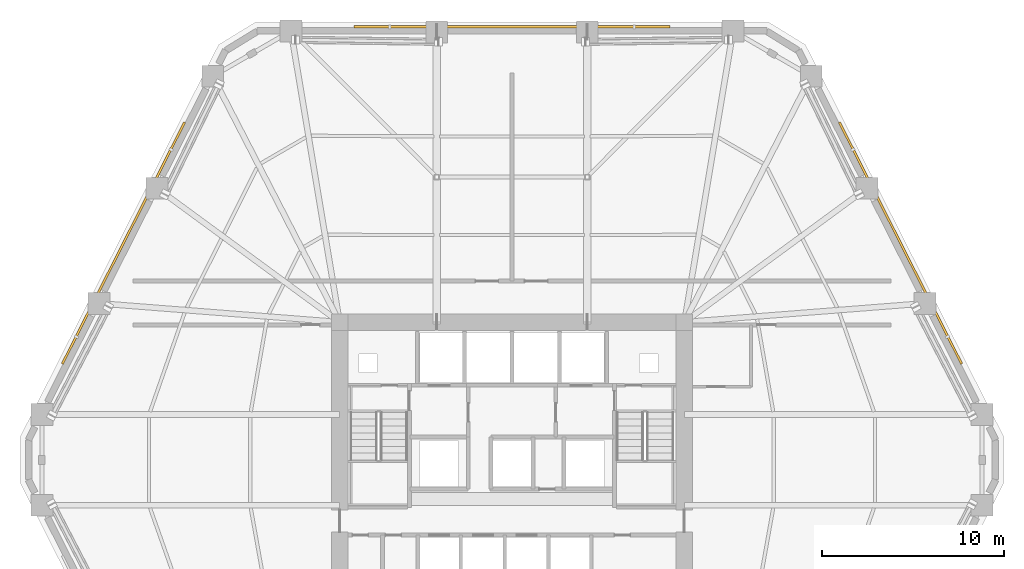
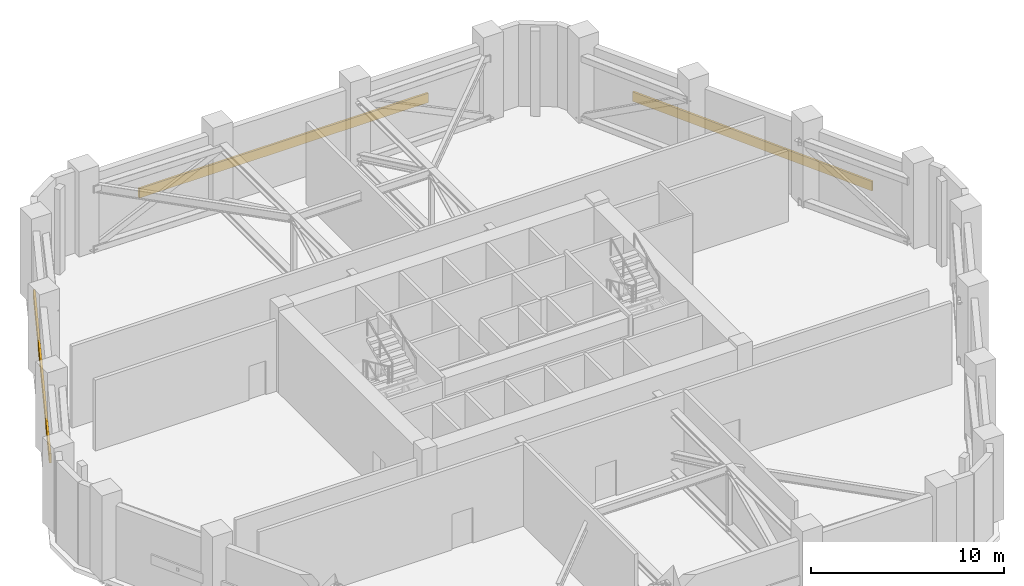
# One storey, part 19 of 19: 3 shading devices.
"""IFC4 building model written with IfcOpenShell, lengths in metres."""

import ifcopenshell
import ifcopenshell.guid

model = None  # the IFC model being written
_history = None  # IfcOwnerHistory: only IFC2X3 demands one
_inside = {}  # id of a spatial element -> (the spatial element, [elements in it])
_under = {}  # id of a project, library or spatial element -> (it, [spatial elements below it])
_declared = {}  # id of a project -> (the project, [libraries it declares])
_typed = {}  # id of a type object -> (the type object, [elements of that type])
_made_of = {}  # id of a material, layer set ... -> (it, [elements and type objects made of it])


def new_model(schema):
    """Start an empty IFC model of exactly this schema.

    Asked for "IFC4X3", IfcOpenShell would pick the latest addendum, in which some entities
    have other attributes; the version numbers below select the first issue.
    IFC2X3 requires an IfcOwnerHistory on every rooted entity: one is made here for all.
    """
    global model, _history
    if schema == "IFC4X3":
        model = ifcopenshell.file(schema_version=(4, 3, 0, 0))
    else:
        model = ifcopenshell.file(schema=schema)
    _inside.clear()
    _under.clear()
    _declared.clear()
    _typed.clear()
    _made_of.clear()
    _history = None
    if model.schema == "IFC2X3":
        org = make("IfcOrganization", Name="unknown")
        user = make(
            "IfcPersonAndOrganization",
            ThePerson=make("IfcPerson", FamilyName="unknown"),
            TheOrganization=org,
        )
        app = make(
            "IfcApplication",
            ApplicationDeveloper=org,
            Version="unknown",
            ApplicationFullName="unknown",
            ApplicationIdentifier="unknown",
        )
        _history = make(
            "IfcOwnerHistory",
            OwningUser=user,
            OwningApplication=app,
            ChangeAction="ADDED",
            CreationDate=0,
        )
    return model


def make(cls, **values):
    """One entity of the class cls with the attributes given. An attribute that is None is left unset."""
    return model.create_entity(
        cls, **{name: value for name, value in values.items() if value is not None}
    )


def rooted(cls, **values):
    """An entity with a GlobalId (a new one), such as an element, a storey or a relation."""
    return make(cls, GlobalId=ifcopenshell.guid.new(), OwnerHistory=_history, **values)


def si_unit(unit_type, name, prefix=None):
    """IfcSIUnit, for example si_unit("LENGTHUNIT", "METRE", prefix="MILLI")."""
    return make("IfcSIUnit", UnitType=unit_type, Prefix=prefix, Name=name)


def assignment(units):
    """IfcUnitAssignment: the units of a project."""
    return None if units is None else make("IfcUnitAssignment", Units=units)


def point(xyz):
    """IfcCartesianPoint."""
    return None if xyz is None else make("IfcCartesianPoint", Coordinates=xyz)


def direction(xyz):
    """IfcDirection."""
    return None if xyz is None else make("IfcDirection", DirectionRatios=xyz)


def frame(location, z_axis=None, x_axis=None):
    """IfcAxis2Placement3D, a coordinate frame: its origin and axes. An axis left out is left unset."""
    return make(
        "IfcAxis2Placement3D",
        Location=point(location),
        Axis=direction(z_axis),
        RefDirection=direction(x_axis),
    )


def frame_2d(location, x_axis=None):
    """IfcAxis2Placement2D, a coordinate frame in the plane: its origin and x axis."""
    return make(
        "IfcAxis2Placement2D", Location=point(location), RefDirection=direction(x_axis)
    )


def origin():
    """The frame at (0, 0, 0) with its axes left unset."""
    return frame((0.0, 0.0, 0.0))


def origin_2d():
    """The frame at (0, 0) in the plane with its x axis left unset."""
    return frame_2d((0.0, 0.0))


def place(relative_to, where):
    """IfcLocalPlacement: puts the frame where relative to a parent placement (None: the world)."""
    return make(
        "IfcLocalPlacement", PlacementRelTo=relative_to, RelativePlacement=where
    )


def context(
    kind, dimensions, precision=None, world=None, true_north=None, identifier=None
):
    """IfcGeometricRepresentationContext, for example the 3D "Model" context."""
    return make(
        "IfcGeometricRepresentationContext",
        ContextIdentifier=identifier,
        ContextType=kind,
        CoordinateSpaceDimension=dimensions,
        Precision=precision,
        WorldCoordinateSystem=world,
        TrueNorth=true_north,
    )


def subcontext(parent, identifier, kind, view, scale=None):
    """IfcGeometricRepresentationSubContext, for example "Body" below "Model"."""
    return make(
        "IfcGeometricRepresentationSubContext",
        ContextIdentifier=identifier,
        ContextType=kind,
        ParentContext=parent,
        TargetScale=scale,
        TargetView=view,
    )


def project(units=None, contexts=None):
    """IfcProject with its units and contexts."""
    return rooted(
        "IfcProject",
        Name="project",
        RepresentationContexts=contexts,
        UnitsInContext=assignment(units),
    )


def spatial(cls, under=None, at=None, **own):
    """A site, building, storey or space (cls), placed at a placement, below another one or the project."""
    s = rooted(cls, ObjectPlacement=at, **own)
    if under is not None:
        _under.setdefault(under.id(), (under, []))[1].append(s)
    return s


def profile(cls, at=None, kind="AREA", **sizes):
    """A parametric profile (cls). Its sizes go by their IFC names, for example OverallWidth=200.0."""
    return make(cls, ProfileType=kind, Position=at, **sizes)


def rectangle(**sizes):
    """IfcRectangleProfileDef."""
    return profile("IfcRectangleProfileDef", **sizes)


def extrude(swept, where, along, depth):
    """IfcExtrudedAreaSolid: the profile swept, set in the frame where, extruded along a direction by depth."""
    return make(
        "IfcExtrudedAreaSolid",
        SweptArea=swept,
        Position=where,
        ExtrudedDirection=direction(along),
        Depth=depth,
    )


def shape(context_of_items, identifier, shape_type, items):
    """IfcShapeRepresentation: the items that make up one representation, for example the "Body"."""
    return make(
        "IfcShapeRepresentation",
        ContextOfItems=context_of_items,
        RepresentationIdentifier=identifier,
        RepresentationType=shape_type,
        Items=items,
    )


def material(Name=None, Category=None):
    """IfcMaterial."""
    return make("IfcMaterial", Name=Name, Category=Category)


def layer(
    of_material, thickness, ventilated=None, Name=None, Category=None, Priority=None
):
    """IfcMaterialLayer: one layer of a wall or slab, of a material (None: an air gap)."""
    return make(
        "IfcMaterialLayer",
        Material=of_material,
        LayerThickness=thickness,
        IsVentilated=ventilated,
        Name=Name,
        Category=Category,
        Priority=Priority,
    )


def layer_set(layers, Name=None):
    """IfcMaterialLayerSet."""
    return make("IfcMaterialLayerSet", MaterialLayers=layers, LayerSetName=Name)


def made_of(thing, what):
    """Note that an element or type object is made of a material, layer set ...; save() writes the relation."""
    if what is not None:
        _made_of.setdefault(what.id(), (what, []))[1].append(thing)
    return thing


def type_object(cls, material=None, **own):
    """A type object (cls), such as IfcWallType, which elements share."""
    return made_of(rooted(cls, **own), material)


def element(
    cls,
    number,
    at=None,
    inside=None,
    cuts=None,
    type_object=None,
    material=None,
    context=None,
    identifier="Body",
    shape_type=None,
    held_by="IfcProductDefinitionShape",
    body=None,
    shapes=None,
    **own,
):
    """One element of the class cls, such as IfcWall. Its Tag is "e" and its number.

    at: its placement. inside: the storey or other place that contains it. cuts: it is an
    opening in that element (IfcRelVoidsElement). A single representation is given by context,
    identifier, shape_type and body (its items); several are given by shapes. held_by: the class
    of the entity that holds the representations. save() writes the other relations.
    """
    e = rooted(cls, Tag="e%d" % number, ObjectPlacement=at, **own)
    if body is not None:
        shapes = [shape(context, identifier, shape_type, body)]
    if shapes is not None:
        e.Representation = make(held_by, Representations=shapes)
    if inside is not None:
        _inside.setdefault(inside.id(), (inside, []))[1].append(e)
    if cuts is not None:
        rooted(
            "IfcRelVoidsElement", RelatingBuildingElement=cuts, RelatedOpeningElement=e
        )
    if type_object is not None:
        _typed.setdefault(type_object.id(), (type_object, []))[1].append(e)
    return made_of(e, material)


def aggregate(whole, parts):
    """IfcRelAggregates: a whole, such as a stair, and the parts it consists of."""
    return rooted("IfcRelAggregates", RelatingObject=whole, RelatedObjects=parts)


def save(model, path):
    """Write the relations noted so far, then the file.

    IfcRelAggregates (storeys below a building ...), IfcRelContainedInSpatialStructure (elements
    in a storey), IfcRelDefinesByType, IfcRelAssociatesMaterial and IfcRelDeclares: one each for
    every whole, place, type object, material and project.
    """
    for whole, parts in _under.values():
        aggregate(whole, parts)
    for where, things in _inside.values():
        rooted(
            "IfcRelContainedInSpatialStructure",
            RelatedElements=things,
            RelatingStructure=where,
        )
    for kind, things in _typed.values():
        rooted("IfcRelDefinesByType", RelatedObjects=things, RelatingType=kind)
    for what, things in _made_of.values():
        rooted("IfcRelAssociatesMaterial", RelatedObjects=things, RelatingMaterial=what)
    for by, libraries in _declared.values():
        rooted("IfcRelDeclares", RelatingContext=by, RelatedDefinitions=libraries)
    model.write(path)


model = new_model("IFC4")

# Units and contexts
model_context = context("Model", 3, precision=1e-05, world=origin(), true_north=direction((0.0, 1.0)))
body_context = subcontext(model_context, "Body", "Model", "MODEL_VIEW")
ifc_project = project(units=[si_unit("LENGTHUNIT", "METRE"), si_unit("AREAUNIT", "SQUARE_METRE"), si_unit("VOLUMEUNIT", "CUBIC_METRE"), si_unit("PLANEANGLEUNIT", "RADIAN"), si_unit("MASSUNIT", "GRAM", prefix="KILO")], contexts=[model_context])

# Site, building, storey
site_placement = place(None, origin())
site = spatial("IfcSite", under=ifc_project, at=site_placement, CompositionType="ELEMENT")
building_placement = place(site_placement, origin())
building = spatial("IfcBuilding", under=site, at=building_placement, Name="Cinnabar Lancet Tower", CompositionType="ELEMENT")
storey_placement = place(building_placement, frame((0.0, 0.0, 74.60009765625)))
storey = spatial("IfcBuildingStorey", under=building, at=storey_placement, Name="L19", CompositionType="ELEMENT", Elevation=74.60009765625)

# Shading devices
ifc_material = material(Name="Anodized acoustic plant weather louvre", Category="aluminium")
ifc_layer = layer(ifc_material, 0.094970703125)
ifc_layer_set = layer_set([ifc_layer], Name="Anodized acoustic plant weather louvre")
shading_device_type = type_object("IfcShadingDeviceType", Name="ENV-SHD-LVR-600", PredefinedType="JALOUSIE", material=ifc_layer_set)
shading_device_1_placement = place(storey_placement, frame((53.697021484375, 37.680908203125, 1.849853515625), z_axis=(0.0, 0.0, 1.0), x_axis=(-0.451469426816, 0.892286588855, 0.0)))
element("IfcShadingDevice", 1, at=shading_device_1_placement, inside=storey, type_object=shading_device_type, Name="L19 Face 3 Acoustic Plant Weather Louvre", PredefinedType="JALOUSIE", context=body_context, shape_type="SweptSolid", body=[
    extrude(rectangle(XDim=14.846923828125, YDim=0.1201171875, at=origin_2d()), origin(), (0.0, 0.0, 1.0), 0.60009765625),
])
shading_device_2_placement = place(storey_placement, frame((32.39990234375, 49.5400390625, 1.849853515625), z_axis=(0.0, 0.0, 1.0), x_axis=(-1.0, 0.0, 0.0)))
element("IfcShadingDevice", 2, at=shading_device_2_placement, inside=storey, type_object=shading_device_type, Name="L19 Face 4 Acoustic Plant Weather Louvre", PredefinedType="JALOUSIE", context=body_context, shape_type="SweptSolid", body=[
    extrude(rectangle(XDim=17.322021484375, YDim=0.1201171875, at=origin_2d()), origin(), (0.0, 0.0, 1.0), 0.60009765625),
])
shading_device_3_placement = place(storey_placement, frame((11.10302734375, 37.680908203125, 1.849853515625), z_axis=(0.0, 0.0, 1.0), x_axis=(-0.451469426816, -0.892286588855, 0.0)))
element("IfcShadingDevice", 3, at=shading_device_3_placement, inside=storey, type_object=shading_device_type, Name="L19 Face 5 Acoustic Plant Weather Louvre", PredefinedType="JALOUSIE", context=body_context, shape_type="SweptSolid", body=[
    extrude(rectangle(XDim=14.846923828125, YDim=0.1201171875, at=origin_2d()), origin(), (0.0, 0.0, 1.0), 0.60009765625),
])

save(model, "model.ifc")
